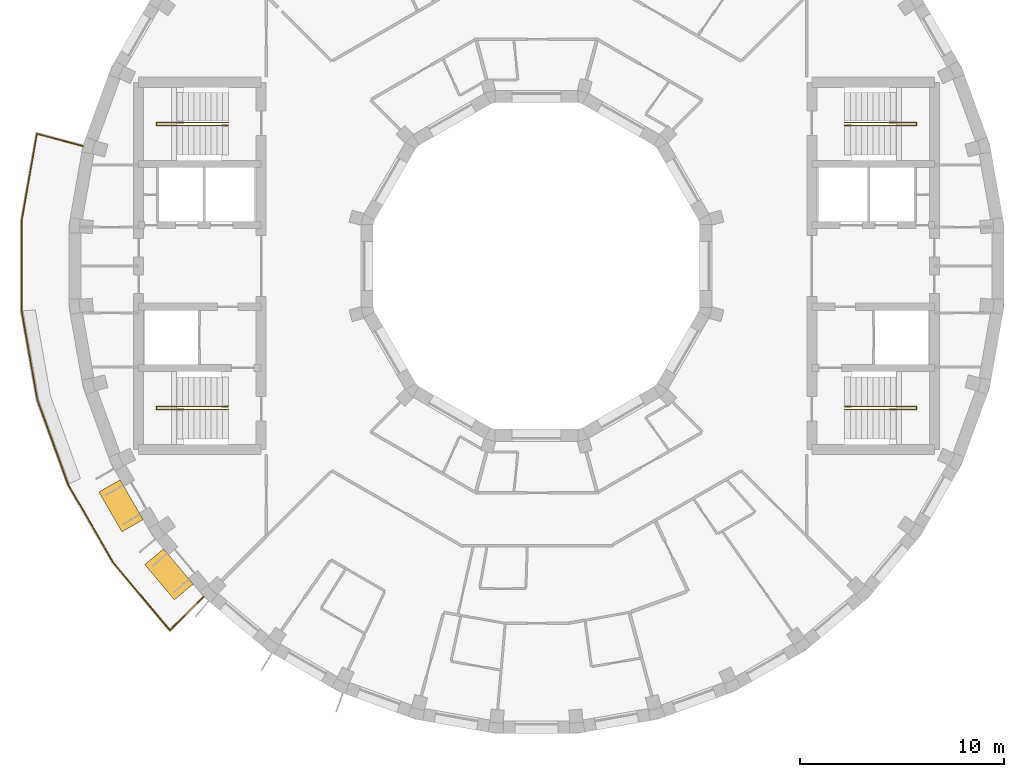
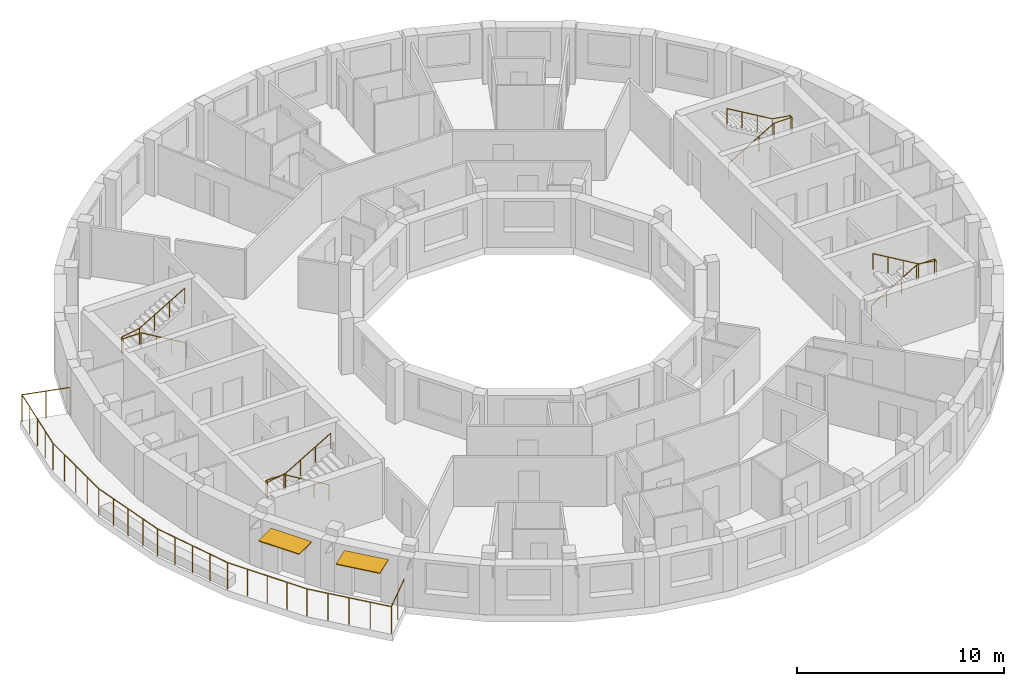
# One storey, part 10 of 10: 5 railings, 2 shading devices.
"""IFC4 building model written with IfcOpenShell, lengths in metres."""

from ifc_helpers import new_model, si_unit, direction, frame, origin, origin_2d, place, context, subcontext, project, spatial, rectangle, circle, extrude, material, layer, layer_set, type_object, element, save


model = new_model("IFC4")

# Units and contexts
model_context = context("Model", 3, precision=1e-05, world=origin(), true_north=direction((0.0, 1.0)))
body_context = subcontext(model_context, "Body", "Model", "MODEL_VIEW")
ifc_project = project(units=[si_unit("LENGTHUNIT", "METRE"), si_unit("AREAUNIT", "SQUARE_METRE"), si_unit("VOLUMEUNIT", "CUBIC_METRE"), si_unit("PLANEANGLEUNIT", "RADIAN"), si_unit("MASSUNIT", "GRAM", prefix="KILO")], contexts=[model_context])

# Site, building, storey
site_placement = place(None, origin())
site = spatial("IfcSite", under=ifc_project, at=site_placement, CompositionType="ELEMENT")
building_placement = place(site_placement, origin())
building = spatial("IfcBuilding", under=site, at=building_placement, Name="Saqina Gate Tower", CompositionType="ELEMENT")
storey_placement = place(building_placement, frame((0.0, 0.0, 256.10009765625)))
storey = spatial("IfcBuildingStorey", under=building, at=storey_placement, Name="L73", CompositionType="ELEMENT", Elevation=256.10009765625)

# Shading devices
ifc_material_1 = material(Name="Aluminium and fabric awning", Category="aluminium")
ifc_layer = layer(ifc_material_1, 0.050048828125)
ifc_layer_set = layer_set([ifc_layer], Name="AW-TERRACE")
shading_device_type = type_object("IfcShadingDeviceType", Name="AW-TERRACE", PredefinedType="AWNING", material=ifc_layer_set)
for number, where, z_axis, x_axis, name in (
    (1, (-20.3623046875, -11.756103515625, 2.52490234375), (0.0, 0.0, 1.0), (0.5, -0.866025403784, 0.0), "Terrace awning L73 facet 21"),
    (2, (-18.01171875, -15.113525390625, 2.52490234375), (0.0, 0.0, 1.0), (0.642787609687, -0.766044443119, 0.0), "Terrace awning L73 facet 22"),
):
    element("IfcShadingDevice", number, at=place(storey_placement, frame(where, z_axis=z_axis, x_axis=x_axis)), inside=storey, type_object=shading_device_type, Name=name, PredefinedType="AWNING", context=body_context, shape_type="SweptSolid", body=[
        extrude(rectangle(XDim=2.251708984375, YDim=1.199951171875, at=origin_2d()), origin(), (0.0, 0.0, 1.0), 0.050048828125),
    ])

# Railings
ifc_material_2 = material(Name="Stainless steel", Category="steel")
railing_type_1 = type_object("IfcRailingType", Name="RL-TERRACE", PredefinedType="GUARDRAIL", material=ifc_material_2)
railing_1_placement = place(storey_placement, frame((-22.178955078125, 5.860107421875, 0.0)))
element("IfcRailing", 3, at=railing_1_placement, inside=storey, type_object=railing_type_1, Name="Terrace guard L73", PredefinedType="GUARDRAIL", context=body_context, shape_type="SweptSolid", body=[
    extrude(circle(Radius=0.02392578125, at=origin_2d()), frame((0.0, 0.0, 1.576171875), z_axis=(-0.96594257821, 0.258756517988, 0.0), x_axis=(-0.258756517988, -0.96594257821, 0.0)), (0.0, 0.0, 1.0), 2.388916015625),
    extrude(circle(Radius=0.02392578125, at=origin_2d()), frame((-2.3076171875, 0.6181640625, 1.576171875), z_axis=(-0.172037454969, -0.985090409093, 0.0), x_axis=(0.985090409093, -0.172037454969, 0.0)), (0.0, 0.0, 1.0), 4.33544921875),
    extrude(circle(Radius=0.02392578125, at=origin_2d()), frame((-3.053466796875, -3.652587890625, 1.576171875), z_axis=(0.0, -1.0, 0.0), x_axis=(1.0, 0.0, 0.0)), (0.0, 0.0, 1.0), 4.4150390625),
    extrude(circle(Radius=0.02392578125, at=origin_2d()), frame((-3.053466796875, -8.067626953125, 1.576171875), z_axis=(0.173627609853, -0.984811379451, 0.0), x_axis=(0.984811379451, 0.173627609853, 0.0)), (0.0, 0.0, 1.0), 4.415283203125),
    extrude(circle(Radius=0.02392578125, at=origin_2d()), frame((-2.286865234375, -12.415771484375, 1.576171875), z_axis=(0.342022770825, -0.93969166445, 0.0), x_axis=(0.93969166445, 0.342022770825, 0.0)), (0.0, 0.0, 1.0), 4.4150390625),
    extrude(circle(Radius=0.02392578125, at=origin_2d()), frame((-0.77685546875, -16.564453125, 1.576171875), z_axis=(0.49998092645, -0.866036415623, 0.0), x_axis=(0.866036415623, 0.49998092645, 0.0)), (0.0, 0.0, 1.0), 4.415283203125),
    extrude(circle(Radius=0.02392578125, at=origin_2d()), frame((1.4306640625, -20.38818359375, 1.576171875), z_axis=(0.641584720745, -0.76705217952, 0.0), x_axis=(0.76705217952, 0.641584720745, 0.0)), (0.0, 0.0, 1.0), 4.33544921875),
    extrude(circle(Radius=0.02392578125, at=origin_2d()), frame((4.212158203125, -23.713623046875, 1.576171875), z_axis=(0.707157881947, 0.707055676733, 0.0), x_axis=(-0.707055676733, 0.707157881947, 0.0)), (0.0, 0.0, 1.0), 2.388671875),
    extrude(circle(Radius=0.02099609375, at=origin_2d()), origin(), (0.0, 0.0, 1.0), 1.552001953125),
    extrude(circle(Radius=0.02099609375, at=origin_2d()), frame((-1.15380859375, 0.30908203125, 0.0)), (0.0, 0.0, 1.0), 1.552001953125),
    extrude(circle(Radius=0.02099609375, at=origin_2d()), frame((-2.3076171875, 0.6181640625, 0.0)), (0.0, 0.0, 1.0), 1.552001953125),
    extrude(circle(Radius=0.02099609375, at=origin_2d()), frame((-2.494140625, -0.449462890625, 0.0)), (0.0, 0.0, 1.0), 1.552001953125),
    extrude(circle(Radius=0.02099609375, at=origin_2d()), frame((-2.6806640625, -1.51708984375, 0.0)), (0.0, 0.0, 1.0), 1.552001953125),
    extrude(circle(Radius=0.02099609375, at=origin_2d()), frame((-2.866943359375, -2.5849609375, 0.0)), (0.0, 0.0, 1.0), 1.552001953125),
    extrude(circle(Radius=0.02099609375, at=origin_2d()), frame((-3.053466796875, -3.652587890625, 0.0)), (0.0, 0.0, 1.0), 1.552001953125),
    extrude(circle(Radius=0.02099609375, at=origin_2d()), frame((-3.053466796875, -4.75634765625, 0.0)), (0.0, 0.0, 1.0), 1.552001953125),
    extrude(circle(Radius=0.02099609375, at=origin_2d()), frame((-3.053466796875, -5.860107421875, 0.0)), (0.0, 0.0, 1.0), 1.552001953125),
    extrude(circle(Radius=0.02099609375, at=origin_2d()), frame((-3.053466796875, -6.9638671875, 0.0)), (0.0, 0.0, 1.0), 1.552001953125),
    extrude(circle(Radius=0.02099609375, at=origin_2d()), frame((-3.053466796875, -8.067626953125, 0.0)), (0.0, 0.0, 1.0), 1.552001953125),
    extrude(circle(Radius=0.02099609375, at=origin_2d()), frame((-2.86181640625, -9.15478515625, 0.0)), (0.0, 0.0, 1.0), 1.552001953125),
    extrude(circle(Radius=0.02099609375, at=origin_2d()), frame((-2.670166015625, -10.24169921875, 0.0)), (0.0, 0.0, 1.0), 1.552001953125),
    extrude(circle(Radius=0.02099609375, at=origin_2d()), frame((-2.478515625, -11.32861328125, 0.0)), (0.0, 0.0, 1.0), 1.552001953125),
    extrude(circle(Radius=0.02099609375, at=origin_2d()), frame((-2.286865234375, -12.415771484375, 0.0)), (0.0, 0.0, 1.0), 1.552001953125),
    extrude(circle(Radius=0.02099609375, at=origin_2d()), frame((-1.909423828125, -13.452880859375, 0.0)), (0.0, 0.0, 1.0), 1.552001953125),
    extrude(circle(Radius=0.02099609375, at=origin_2d()), frame((-1.53173828125, -14.490234375, 0.0)), (0.0, 0.0, 1.0), 1.552001953125),
    extrude(circle(Radius=0.02099609375, at=origin_2d()), frame((-1.154296875, -15.52734375, 0.0)), (0.0, 0.0, 1.0), 1.552001953125),
    extrude(circle(Radius=0.02099609375, at=origin_2d()), frame((-0.77685546875, -16.564453125, 0.0)), (0.0, 0.0, 1.0), 1.552001953125),
    extrude(circle(Radius=0.02099609375, at=origin_2d()), frame((-0.22509765625, -17.5205078125, 0.0)), (0.0, 0.0, 1.0), 1.552001953125),
    extrude(circle(Radius=0.02099609375, at=origin_2d()), frame((0.326904296875, -18.476318359375, 0.0)), (0.0, 0.0, 1.0), 1.552001953125),
    extrude(circle(Radius=0.02099609375, at=origin_2d()), frame((0.87890625, -19.43212890625, 0.0)), (0.0, 0.0, 1.0), 1.552001953125),
    extrude(circle(Radius=0.02099609375, at=origin_2d()), frame((1.4306640625, -20.38818359375, 0.0)), (0.0, 0.0, 1.0), 1.552001953125),
    extrude(circle(Radius=0.02099609375, at=origin_2d()), frame((2.1259765625, -21.219482421875, 0.0)), (0.0, 0.0, 1.0), 1.552001953125),
    extrude(circle(Radius=0.02099609375, at=origin_2d()), frame((2.8212890625, -22.05078125, 0.0)), (0.0, 0.0, 1.0), 1.552001953125),
    extrude(circle(Radius=0.02099609375, at=origin_2d()), frame((3.516845703125, -22.88232421875, 0.0)), (0.0, 0.0, 1.0), 1.552001953125),
    extrude(circle(Radius=0.02099609375, at=origin_2d()), frame((4.212158203125, -23.713623046875, 0.0)), (0.0, 0.0, 1.0), 1.552001953125),
    extrude(circle(Radius=0.02099609375, at=origin_2d()), frame((5.056640625, -22.869140625, 0.0)), (0.0, 0.0, 1.0), 1.552001953125),
    extrude(circle(Radius=0.02099609375, at=origin_2d()), frame((5.9013671875, -22.024658203125, 0.0)), (0.0, 0.0, 1.0), 1.552001953125),
])
ifc_material_3 = material(Name="Stainless steel", Category="steel")
railing_type_2 = type_object("IfcRailingType", Name="STAIR HANDRAIL", PredefinedType="HANDRAIL", material=ifc_material_3)
railing_2_placement = place(storey_placement, frame((15.10009765625, 6.88330078125, 0.164794921875)))
element("IfcRailing", 4, at=railing_2_placement, inside=storey, type_object=railing_type_2, Name="EXIT STAIR 1 HANDRAIL", PredefinedType="HANDRAIL", context=body_context, shape_type="SweptSolid", body=[
    extrude(circle(Radius=0.02392578125, at=origin_2d()), frame((0.0, 0.0, 0.92578125), z_axis=(0.86152411907, 0.0, 0.507716645641), x_axis=(0.0, 1.0, 0.0)), (0.0, 0.0, 1.0), 2.925048828125),
    extrude(circle(Radius=0.02392578125, at=origin_2d()), frame((2.52001953125, 0.0, 2.4111328125), z_axis=(1.0, 0.0, 0.0), x_axis=(0.0, 1.0, 0.0)), (0.0, 0.0, 1.0), 1.0),
    extrude(circle(Radius=0.02392578125, at=origin_2d()), frame((3.52001953125, 0.0, 2.4111328125), z_axis=(0.0, 1.0, 0.0), x_axis=(-1.0, 0.0, 0.0)), (0.0, 0.0, 1.0), 0.158447265625),
    extrude(circle(Radius=0.02392578125, at=origin_2d()), frame((3.52001953125, 0.158447265625, 2.4111328125), z_axis=(-0.98665309941, 0.0, 0.162836302539), x_axis=(0.0, -1.0, 0.0)), (0.0, 0.0, 1.0), 1.013427734375),
    extrude(circle(Radius=0.02392578125, at=origin_2d()), frame((2.52001953125, 0.158447265625, 2.576171875), z_axis=(-0.861560626758, 0.0, 0.507654692109), x_axis=(0.0, -1.0, 0.0)), (0.0, 0.0, 1.0), 2.925048828125),
    extrude(circle(Radius=0.02099609375, at=origin_2d()), origin(), (0.0, 0.0, 1.0), 0.90185546875),
    extrude(circle(Radius=0.02099609375, at=origin_2d()), frame((0.840087890625, 0.0, 0.4951171875)), (0.0, 0.0, 1.0), 0.90185546875),
    extrude(circle(Radius=0.02099609375, at=origin_2d()), frame((1.679931640625, 0.0, 0.989990234375)), (0.0, 0.0, 1.0), 0.90185546875),
    extrude(circle(Radius=0.02099609375, at=origin_2d()), frame((2.52001953125, 0.0, 1.485107421875)), (0.0, 0.0, 1.0), 0.90185546875),
    extrude(circle(Radius=0.02099609375, at=origin_2d()), frame((3.52001953125, 0.0, 1.485107421875)), (0.0, 0.0, 1.0), 0.90185546875),
    extrude(circle(Radius=0.02099609375, at=origin_2d()), frame((3.52001953125, 0.158447265625, 1.485107421875)), (0.0, 0.0, 1.0), 0.90185546875),
    extrude(circle(Radius=0.02099609375, at=origin_2d()), frame((2.52001953125, 0.158447265625, 1.650146484375)), (0.0, 0.0, 1.0), 0.90185546875),
    extrude(circle(Radius=0.02099609375, at=origin_2d()), frame((1.679931640625, 0.158447265625, 2.14501953125)), (0.0, 0.0, 1.0), 0.90185546875),
    extrude(circle(Radius=0.02099609375, at=origin_2d()), frame((0.840087890625, 0.158447265625, 2.64013671875)), (0.0, 0.0, 1.0), 0.90185546875),
    extrude(circle(Radius=0.02099609375, at=origin_2d()), frame((0.0, 0.158447265625, 3.135009765625)), (0.0, 0.0, 1.0), 0.90185546875),
])
railing_3_placement = place(storey_placement, frame((15.10009765625, -6.88330078125, 0.164794921875)))
element("IfcRailing", 5, at=railing_3_placement, inside=storey, type_object=railing_type_2, Name="EXIT STAIR 2 HANDRAIL", PredefinedType="HANDRAIL", context=body_context, shape_type="SweptSolid", body=[
    extrude(circle(Radius=0.02392578125, at=origin_2d()), frame((0.0, 0.0, 0.92578125), z_axis=(0.86152411907, 0.0, 0.507716645641), x_axis=(0.0, 1.0, 0.0)), (0.0, 0.0, 1.0), 2.925048828125),
    extrude(circle(Radius=0.02392578125, at=origin_2d()), frame((2.52001953125, 0.0, 2.4111328125), z_axis=(1.0, 0.0, 0.0), x_axis=(0.0, 1.0, 0.0)), (0.0, 0.0, 1.0), 1.0),
    extrude(circle(Radius=0.02392578125, at=origin_2d()), frame((3.52001953125, 0.0, 2.4111328125), z_axis=(0.0, -1.0, 0.0), x_axis=(1.0, 0.0, 0.0)), (0.0, 0.0, 1.0), 0.158447265625),
    extrude(circle(Radius=0.02392578125, at=origin_2d()), frame((3.52001953125, -0.158447265625, 2.4111328125), z_axis=(-0.98665309941, 0.0, 0.162836302539), x_axis=(0.0, -1.0, 0.0)), (0.0, 0.0, 1.0), 1.013427734375),
    extrude(circle(Radius=0.02392578125, at=origin_2d()), frame((2.52001953125, -0.158447265625, 2.576171875), z_axis=(-0.861560626758, 0.0, 0.507654692109), x_axis=(0.0, -1.0, 0.0)), (0.0, 0.0, 1.0), 2.925048828125),
    extrude(circle(Radius=0.02099609375, at=origin_2d()), origin(), (0.0, 0.0, 1.0), 0.90185546875),
    extrude(circle(Radius=0.02099609375, at=origin_2d()), frame((0.840087890625, 0.0, 0.4951171875)), (0.0, 0.0, 1.0), 0.90185546875),
    extrude(circle(Radius=0.02099609375, at=origin_2d()), frame((1.679931640625, 0.0, 0.989990234375)), (0.0, 0.0, 1.0), 0.90185546875),
    extrude(circle(Radius=0.02099609375, at=origin_2d()), frame((2.52001953125, 0.0, 1.485107421875)), (0.0, 0.0, 1.0), 0.90185546875),
    extrude(circle(Radius=0.02099609375, at=origin_2d()), frame((3.52001953125, 0.0, 1.485107421875)), (0.0, 0.0, 1.0), 0.90185546875),
    extrude(circle(Radius=0.02099609375, at=origin_2d()), frame((3.52001953125, -0.158447265625, 1.485107421875)), (0.0, 0.0, 1.0), 0.90185546875),
    extrude(circle(Radius=0.02099609375, at=origin_2d()), frame((2.52001953125, -0.158447265625, 1.650146484375)), (0.0, 0.0, 1.0), 0.90185546875),
    extrude(circle(Radius=0.02099609375, at=origin_2d()), frame((1.679931640625, -0.158447265625, 2.14501953125)), (0.0, 0.0, 1.0), 0.90185546875),
    extrude(circle(Radius=0.02099609375, at=origin_2d()), frame((0.840087890625, -0.158447265625, 2.64013671875)), (0.0, 0.0, 1.0), 0.90185546875),
    extrude(circle(Radius=0.02099609375, at=origin_2d()), frame((0.0, -0.158447265625, 3.135009765625)), (0.0, 0.0, 1.0), 0.90185546875),
])
railing_4_placement = place(storey_placement, frame((-15.10009765625, 6.88330078125, 0.164794921875)))
element("IfcRailing", 6, at=railing_4_placement, inside=storey, type_object=railing_type_2, Name="EXIT STAIR 3 HANDRAIL", PredefinedType="HANDRAIL", context=body_context, shape_type="SweptSolid", body=[
    extrude(circle(Radius=0.02392578125, at=origin_2d()), frame((0.0, 0.0, 0.92578125), z_axis=(-0.86152411907, 0.0, 0.507716645641), x_axis=(0.0, -1.0, 0.0)), (0.0, 0.0, 1.0), 2.925048828125),
    extrude(circle(Radius=0.02392578125, at=origin_2d()), frame((-2.52001953125, 0.0, 2.4111328125), z_axis=(-1.0, 0.0, 0.0), x_axis=(0.0, -1.0, 0.0)), (0.0, 0.0, 1.0), 1.0),
    extrude(circle(Radius=0.02392578125, at=origin_2d()), frame((-3.52001953125, 0.0, 2.4111328125), z_axis=(0.0, 1.0, 0.0), x_axis=(-1.0, 0.0, 0.0)), (0.0, 0.0, 1.0), 0.158447265625),
    extrude(circle(Radius=0.02392578125, at=origin_2d()), frame((-3.52001953125, 0.158447265625, 2.4111328125), z_axis=(0.98665309941, 0.0, 0.162836302539), x_axis=(0.0, 1.0, 0.0)), (0.0, 0.0, 1.0), 1.013427734375),
    extrude(circle(Radius=0.02392578125, at=origin_2d()), frame((-2.52001953125, 0.158447265625, 2.576171875), z_axis=(0.861560626758, 0.0, 0.507654692109), x_axis=(0.0, 1.0, 0.0)), (0.0, 0.0, 1.0), 2.925048828125),
    extrude(circle(Radius=0.02099609375, at=origin_2d()), origin(), (0.0, 0.0, 1.0), 0.90185546875),
    extrude(circle(Radius=0.02099609375, at=origin_2d()), frame((-0.840087890625, 0.0, 0.4951171875)), (0.0, 0.0, 1.0), 0.90185546875),
    extrude(circle(Radius=0.02099609375, at=origin_2d()), frame((-1.679931640625, 0.0, 0.989990234375)), (0.0, 0.0, 1.0), 0.90185546875),
    extrude(circle(Radius=0.02099609375, at=origin_2d()), frame((-2.52001953125, 0.0, 1.485107421875)), (0.0, 0.0, 1.0), 0.90185546875),
    extrude(circle(Radius=0.02099609375, at=origin_2d()), frame((-3.52001953125, 0.0, 1.485107421875)), (0.0, 0.0, 1.0), 0.90185546875),
    extrude(circle(Radius=0.02099609375, at=origin_2d()), frame((-3.52001953125, 0.158447265625, 1.485107421875)), (0.0, 0.0, 1.0), 0.90185546875),
    extrude(circle(Radius=0.02099609375, at=origin_2d()), frame((-2.52001953125, 0.158447265625, 1.650146484375)), (0.0, 0.0, 1.0), 0.90185546875),
    extrude(circle(Radius=0.02099609375, at=origin_2d()), frame((-1.679931640625, 0.158447265625, 2.14501953125)), (0.0, 0.0, 1.0), 0.90185546875),
    extrude(circle(Radius=0.02099609375, at=origin_2d()), frame((-0.840087890625, 0.158447265625, 2.64013671875)), (0.0, 0.0, 1.0), 0.90185546875),
    extrude(circle(Radius=0.02099609375, at=origin_2d()), frame((0.0, 0.158447265625, 3.135009765625)), (0.0, 0.0, 1.0), 0.90185546875),
])
railing_5_placement = place(storey_placement, frame((-15.10009765625, -6.88330078125, 0.164794921875)))
element("IfcRailing", 7, at=railing_5_placement, inside=storey, type_object=railing_type_2, Name="EXIT STAIR 4 HANDRAIL", PredefinedType="HANDRAIL", context=body_context, shape_type="SweptSolid", body=[
    extrude(circle(Radius=0.02392578125, at=origin_2d()), frame((0.0, 0.0, 0.92578125), z_axis=(-0.86152411907, 0.0, 0.507716645641), x_axis=(0.0, -1.0, 0.0)), (0.0, 0.0, 1.0), 2.925048828125),
    extrude(circle(Radius=0.02392578125, at=origin_2d()), frame((-2.52001953125, 0.0, 2.4111328125), z_axis=(-1.0, 0.0, 0.0), x_axis=(0.0, -1.0, 0.0)), (0.0, 0.0, 1.0), 1.0),
    extrude(circle(Radius=0.02392578125, at=origin_2d()), frame((-3.52001953125, 0.0, 2.4111328125), z_axis=(0.0, -1.0, 0.0), x_axis=(1.0, 0.0, 0.0)), (0.0, 0.0, 1.0), 0.158447265625),
    extrude(circle(Radius=0.02392578125, at=origin_2d()), frame((-3.52001953125, -0.158447265625, 2.4111328125), z_axis=(0.98665309941, 0.0, 0.162836302539), x_axis=(0.0, 1.0, 0.0)), (0.0, 0.0, 1.0), 1.013427734375),
    extrude(circle(Radius=0.02392578125, at=origin_2d()), frame((-2.52001953125, -0.158447265625, 2.576171875), z_axis=(0.861560626758, 0.0, 0.507654692109), x_axis=(0.0, 1.0, 0.0)), (0.0, 0.0, 1.0), 2.925048828125),
    extrude(circle(Radius=0.02099609375, at=origin_2d()), origin(), (0.0, 0.0, 1.0), 0.90185546875),
    extrude(circle(Radius=0.02099609375, at=origin_2d()), frame((-0.840087890625, 0.0, 0.4951171875)), (0.0, 0.0, 1.0), 0.90185546875),
    extrude(circle(Radius=0.02099609375, at=origin_2d()), frame((-1.679931640625, 0.0, 0.989990234375)), (0.0, 0.0, 1.0), 0.90185546875),
    extrude(circle(Radius=0.02099609375, at=origin_2d()), frame((-2.52001953125, 0.0, 1.485107421875)), (0.0, 0.0, 1.0), 0.90185546875),
    extrude(circle(Radius=0.02099609375, at=origin_2d()), frame((-3.52001953125, 0.0, 1.485107421875)), (0.0, 0.0, 1.0), 0.90185546875),
    extrude(circle(Radius=0.02099609375, at=origin_2d()), frame((-3.52001953125, -0.158447265625, 1.485107421875)), (0.0, 0.0, 1.0), 0.90185546875),
    extrude(circle(Radius=0.02099609375, at=origin_2d()), frame((-2.52001953125, -0.158447265625, 1.650146484375)), (0.0, 0.0, 1.0), 0.90185546875),
    extrude(circle(Radius=0.02099609375, at=origin_2d()), frame((-1.679931640625, -0.158447265625, 2.14501953125)), (0.0, 0.0, 1.0), 0.90185546875),
    extrude(circle(Radius=0.02099609375, at=origin_2d()), frame((-0.840087890625, -0.158447265625, 2.64013671875)), (0.0, 0.0, 1.0), 0.90185546875),
    extrude(circle(Radius=0.02099609375, at=origin_2d()), frame((0.0, -0.158447265625, 3.135009765625)), (0.0, 0.0, 1.0), 0.90185546875),
])

save(model, "model.ifc")
